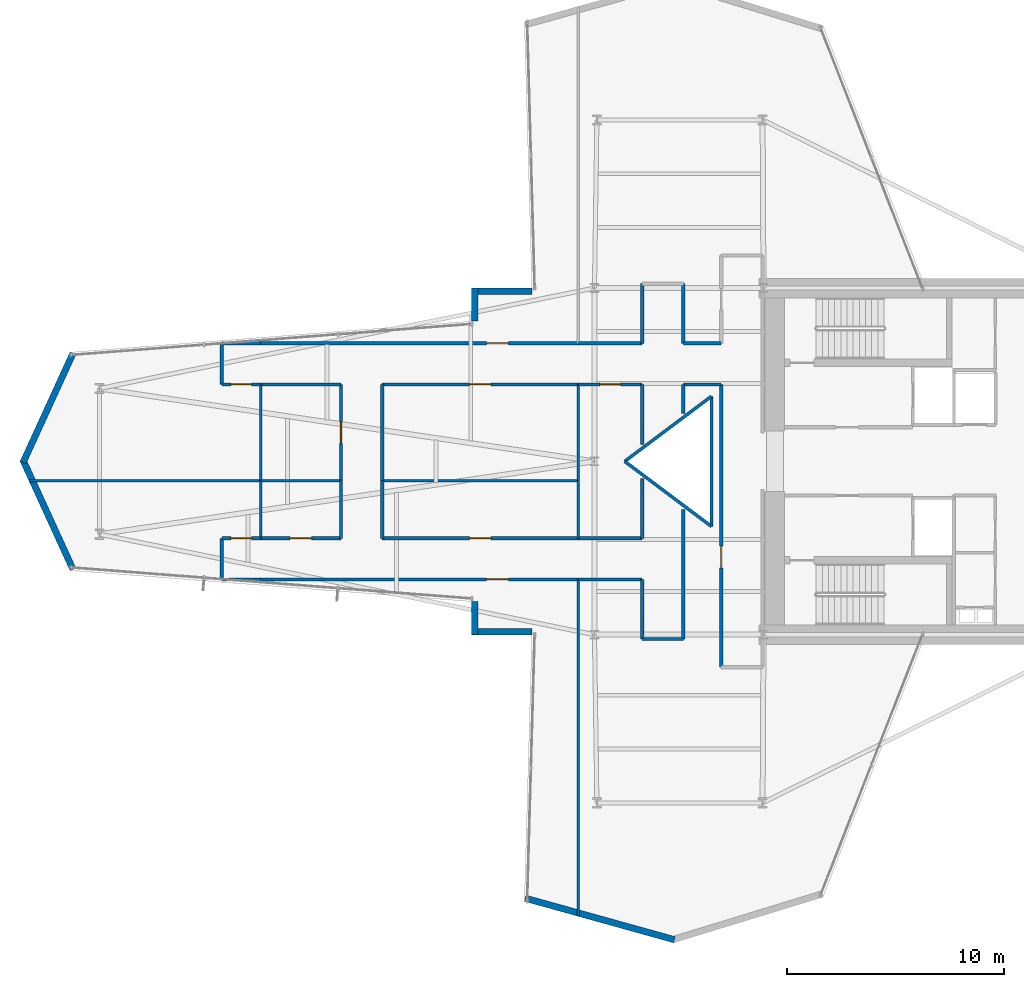
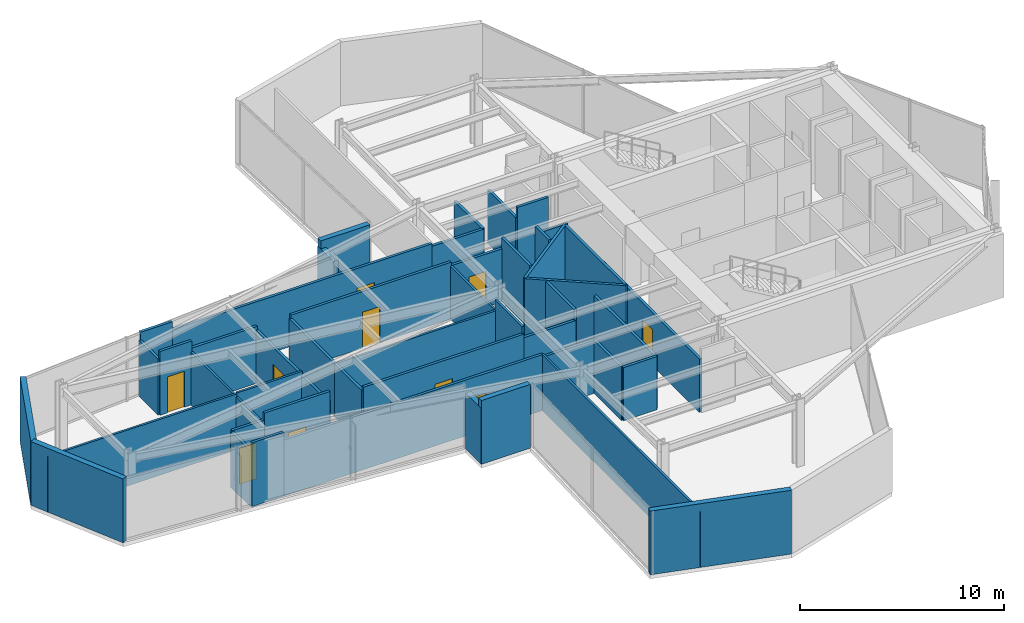
# One storey, part 27 of 30: 49 walls, 10 doors, 10 openings.
"""IFC4 building model written with IfcOpenShell, lengths in metres."""

from ifc_helpers import new_model, si_unit, direction, frame, frame_2d, origin, place, context, subcontext, project, spatial, rectangle, extrude, material, layer, layer_set, type_object, element, fill, save


model = new_model("IFC4")

# Units and contexts
model_context = context("Model", 3, precision=1e-05, world=origin(), true_north=direction((0.0, 1.0)))
body_context = subcontext(model_context, "Body", "Model", "MODEL_VIEW")
ifc_project = project(units=[si_unit("LENGTHUNIT", "METRE"), si_unit("AREAUNIT", "SQUARE_METRE"), si_unit("VOLUMEUNIT", "CUBIC_METRE"), si_unit("PLANEANGLEUNIT", "RADIAN"), si_unit("MASSUNIT", "GRAM", prefix="KILO")], contexts=[model_context])

# Site, building, storey
site_placement = place(None, origin())
site = spatial("IfcSite", under=ifc_project, at=site_placement, CompositionType="ELEMENT")
building_placement = place(site_placement, origin())
building = spatial("IfcBuilding", under=site, at=building_placement, Name="Veymaron Broadcast Tower", CompositionType="ELEMENT")
storey_placement = place(building_placement, frame((0.0, 0.0, 54.0)))
storey = spatial("IfcBuildingStorey", under=building, at=storey_placement, Name="L11", CompositionType="ELEMENT", Elevation=54.0)

# Walls
ifc_material_1 = material(Name="Precast concrete C40/50 with mineral-wool insulation", Category="concrete")
ifc_layer_1 = layer(ifc_material_1, 0.300048828125)
ifc_layer_set_1 = layer_set([ifc_layer_1], Name="Precast concrete C40/50 with mineral-wool insulation")
wall_type_1 = type_object("IfcWallType", Name="WALL-EXT-300", PredefinedType="STANDARD", material=ifc_layer_set_1)
wall_1_placement = place(storey_placement, frame((28.305419921875, 31.860107421875, 0.0), z_axis=(0.0, 0.0, 1.0), x_axis=(-1.0, 0.0, 0.0)))
element("IfcWall", 1, at=wall_1_placement, inside=storey, type_object=wall_type_1, Name="L11 notched corner facade pier 9-1", PredefinedType="STANDARD", context=body_context, shape_type="SweptSolid", body=[
    extrude(rectangle(XDim=2.77734375, YDim=0.300048828125, at=frame_2d((1.388671875, 0.0))), origin(), (0.0, 0.0, 1.0), 3.81005859375),
])
wall_2_placement = place(storey_placement, frame((25.66796875, 32.0, 0.0), z_axis=(0.0, 0.0, 1.0), x_axis=(0.0, -1.0, 0.0)))
element("IfcWall", 2, at=wall_2_placement, inside=storey, type_object=wall_type_1, Name="L11 notched corner facade pier 10-1", PredefinedType="STANDARD", context=body_context, shape_type="SweptSolid", body=[
    extrude(rectangle(XDim=1.52392578125, YDim=0.300048828125, at=frame_2d((0.761962890625, 0.0))), origin(), (0.0, 0.0, 1.0), 3.337890625),
])
for number, where, z_axis, x_axis, name in (
    (3, (7.127197265625, 28.9814453125, 0.0), (0.0, 0.0, 1.0), (-0.415783708404, -0.909463527485, 0.0), "L11 notched corner facade pier 12-1"),
    (4, (4.8232421875, 24.05810546875, 0.0), (0.0, 0.0, 1.0), (0.415783708404, -0.909463527485, 0.0), "L11 notched corner facade pier 13-1"),
):
    element("IfcWall", number, at=place(storey_placement, frame(where, z_axis=z_axis, x_axis=x_axis)), inside=storey, type_object=wall_type_1, Name=name, PredefinedType="STANDARD", context=body_context, shape_type="SweptSolid", body=[
        extrude(rectangle(XDim=5.541259765625, YDim=0.300048828125, at=frame_2d((2.7705078125, 0.0))), origin(), (0.0, 0.0, 1.0), 3.81005859375),
    ])
wall_3_placement = place(storey_placement, frame((25.66796875, 17.52392578125, 0.0), z_axis=(0.0, 0.0, 1.0), x_axis=(0.0, -1.0, 0.0)))
element("IfcWall", 5, at=wall_3_placement, inside=storey, type_object=wall_type_1, Name="L11 notched corner facade pier 15-1", PredefinedType="STANDARD", context=body_context, shape_type="SweptSolid", body=[
    extrude(rectangle(XDim=1.52392578125, YDim=0.300048828125, at=frame_2d((0.761962890625, 0.0))), origin(), (0.0, 0.0, 1.0), 3.337890625),
])
wall_4_placement = place(storey_placement, frame((25.528076171875, 16.139892578125, 0.0), z_axis=(0.0, 0.0, 1.0), x_axis=(1.0, 0.0, 0.0)))
element("IfcWall", 6, at=wall_4_placement, inside=storey, type_object=wall_type_1, Name="L11 notched corner facade pier 16-1", PredefinedType="STANDARD", context=body_context, shape_type="SweptSolid", body=[
    extrude(rectangle(XDim=2.77734375, YDim=0.300048828125, at=frame_2d((1.388671875, 0.0))), origin(), (0.0, 0.0, 1.0), 3.81005859375),
])
wall_5_placement = place(storey_placement, frame((27.9970703125, 3.8388671875, 0.0), z_axis=(0.0, 0.0, 1.0), x_axis=(0.963365312104, -0.268192608836, 0.0)))
element("IfcWall", 7, at=wall_5_placement, inside=storey, type_object=wall_type_1, Name="L11 notched corner facade pier 18-1", PredefinedType="STANDARD", context=body_context, shape_type="SweptSolid", body=[
    extrude(rectangle(XDim=7.15869140625, YDim=0.300048828125, at=frame_2d((3.579345703125, 0.0))), origin(), (0.0, 0.0, 1.0), 3.81005859375),
])

# Wall, opening, door
ifc_material_2 = material(Name="Gypsum fireboard and steel stud framing", Category="steel")
ifc_layer_2 = layer(ifc_material_2, 0.14990234375)
ifc_layer_set_2 = layer_set([ifc_layer_2], Name="Gypsum fireboard and steel stud framing")
wall_type_2 = type_object("IfcWallType", Name="WALL-FIRE-150", PredefinedType="PARTITIONING", material=ifc_layer_set_2)
wall_6_placement = place(storey_placement, frame((37.050048828125, 14.5, 0.0), z_axis=(0.0, 0.0, 1.0), x_axis=(0.0, 1.0, 0.0)))
wall_6 = element("IfcWall", 8, at=wall_6_placement, inside=storey, type_object=wall_type_2, Name="L11 partition IW-L11-P01", PredefinedType="PARTITIONING", context=body_context, shape_type="SweptSolid", body=[
    extrude(rectangle(XDim=13.050048828125, YDim=0.14990234375, at=frame_2d((6.52490234375, 0.0))), origin(), (0.0, 0.0, 1.0), 3.180908203125),
])
opening_1_placement = place(wall_6_placement, frame((4.5849609375, 0.0, 0.0)))
opening_1 = element("IfcOpeningElement", 9, at=opening_1_placement, cuts=wall_6, Name="Opening ID-RM3", PredefinedType="OPENING", context=body_context, shape_type="SweptSolid", body=[
    extrude(rectangle(XDim=1.0, YDim=2.14990234375, at=frame_2d((0.5, 1.074951171875))), frame((0.0, 0.0849609375, 0.0), z_axis=(0.0, -1.0, 0.0), x_axis=(1.0, 0.0, 0.0)), (0.0, 0.0, 1.0), 0.169921875),
])
ifc_material_3 = material(Name="Acoustic solid-core European oak veneer timber", Category="wood")
door_type_1 = type_object("IfcDoorType", Name="DOOR-INT-1000", OperationType="NOTDEFINED", PredefinedType="DOOR", material=ifc_material_3)
door_1_placement = place(opening_1_placement, frame((1.0, 0.0, 0.0), z_axis=(0.0, 0.0, 1.0), x_axis=(-1.0, 0.0, 0.0)))
door_1 = element("IfcDoor", 10, at=door_1_placement, inside=storey, type_object=door_type_1, Name="L11 door DR-L11-P01", OperationType="SINGLE_SWING_RIGHT", OverallHeight=2.14990234375, OverallWidth=1.0, PredefinedType="DOOR", context=body_context, shape_type="SweptSolid", body=[
    extrude(rectangle(XDim=1.0, YDim=2.14990234375, at=frame_2d((0.5, 1.074951171875))), frame((0.0, 0.02490234375, 0.0), z_axis=(0.0, -1.0, 0.0), x_axis=(1.0, 0.0, 0.0)), (0.0, 0.0, 1.0), 0.050048828125),
])
fill(opening_1, door_1)

wall_7_placement = place(storey_placement, frame((15.7939453125, 18.550048828125, 0.0), z_axis=(0.0, 0.0, 1.0), x_axis=(1.0, 0.0, 0.0)))
wall_7 = element("IfcWall", 11, at=wall_7_placement, inside=storey, type_object=wall_type_2, Name="L11 partition IW-L11-P10", PredefinedType="PARTITIONING", context=body_context, shape_type="SweptSolid", body=[
    extrude(rectangle(XDim=14.6650390625, YDim=0.14990234375, at=frame_2d((7.33251953125, 0.0))), origin(), (0.0, 0.0, 1.0), 3.337890625),
])
opening_2_placement = place(wall_7_placement, frame((10.4326171875, 0.0, 0.0)))
opening_2 = element("IfcOpeningElement", 12, at=opening_2_placement, cuts=wall_7, Name="Opening ID-RM3", PredefinedType="OPENING", context=body_context, shape_type="SweptSolid", body=[
    extrude(rectangle(XDim=1.0, YDim=2.14990234375, at=frame_2d((0.5, 1.074951171875))), frame((0.0, 0.0849609375, 0.0), z_axis=(0.0, -1.0, 0.0), x_axis=(1.0, 0.0, 0.0)), (0.0, 0.0, 1.0), 0.169921875),
])
door_2_placement = place(opening_2_placement, frame((1.0, 0.0, 0.0), z_axis=(0.0, 0.0, 1.0), x_axis=(-1.0, 0.0, 0.0)))
door_2 = element("IfcDoor", 13, at=door_2_placement, inside=storey, type_object=door_type_1, Name="L11 door DR-L11-P10", OperationType="SINGLE_SWING_LEFT", OverallHeight=2.14990234375, OverallWidth=1.0, PredefinedType="DOOR", context=body_context, shape_type="SweptSolid", body=[
    extrude(rectangle(XDim=1.0, YDim=2.14990234375, at=frame_2d((0.5, 1.074951171875))), frame((0.0, 0.02490234375, 0.0), z_axis=(0.0, -1.0, 0.0), x_axis=(1.0, 0.0, 0.0)), (0.0, 0.0, 1.0), 0.050048828125),
])
fill(opening_2, door_2)

wall_8_placement = place(storey_placement, frame((14.0, 20.449951171875, 0.0), z_axis=(0.0, 0.0, 1.0), x_axis=(1.0, 0.0, 0.0)))
wall_8 = element("IfcWall", 14, at=wall_8_placement, inside=storey, type_object=wall_type_2, Name="L11 partition IW-L11-P13", PredefinedType="PARTITIONING", context=body_context, shape_type="SweptSolid", body=[
    extrude(rectangle(XDim=1.7939453125, YDim=0.14990234375, at=frame_2d((0.89697265625, 0.0))), origin(), (0.0, 0.0, 1.0), 3.39111328125),
])
opening_3_placement = place(wall_8_placement, frame((0.422119140625, 0.0, 0.0)))
opening_3 = element("IfcOpeningElement", 15, at=opening_3_placement, cuts=wall_8, Name="Opening ID-RM1", PredefinedType="OPENING", context=body_context, shape_type="SweptSolid", body=[
    extrude(rectangle(XDim=0.949951171875, YDim=2.14990234375, at=frame_2d((0.47509765625, 1.074951171875))), frame((0.0, 0.0849609375, 0.0), z_axis=(0.0, -1.0, 0.0), x_axis=(1.0, 0.0, 0.0)), (0.0, 0.0, 1.0), 0.169921875),
])
door_type_2 = type_object("IfcDoorType", Name="DOOR-INT-950", OperationType="NOTDEFINED", PredefinedType="DOOR", material=ifc_material_3)
door_3_placement = place(opening_3_placement, origin())
door_3 = element("IfcDoor", 16, at=door_3_placement, inside=storey, type_object=door_type_2, Name="L11 door DR-L11-P13", OperationType="SINGLE_SWING_RIGHT", OverallHeight=2.14990234375, OverallWidth=0.949951171875, PredefinedType="DOOR", context=body_context, shape_type="SweptSolid", body=[
    extrude(rectangle(XDim=0.949951171875, YDim=2.14990234375, at=frame_2d((0.47509765625, 1.074951171875))), frame((0.0, 0.02490234375, 0.0), z_axis=(0.0, -1.0, 0.0), x_axis=(1.0, 0.0, 0.0)), (0.0, 0.0, 1.0), 0.050048828125),
])
fill(opening_3, door_3)

wall_9_placement = place(storey_placement, frame((15.7939453125, 20.449951171875, 0.0), z_axis=(0.0, 0.0, 1.0), x_axis=(1.0, 0.0, 0.0)))
wall_9 = element("IfcWall", 17, at=wall_9_placement, inside=storey, type_object=wall_type_2, Name="L11 partition IW-L11-P14", PredefinedType="PARTITIONING", context=body_context, shape_type="SweptSolid", body=[
    extrude(rectangle(XDim=3.7060546875, YDim=0.14990234375, at=frame_2d((1.85302734375, 0.0))), origin(), (0.0, 0.0, 1.0), 3.81005859375),
])
opening_4_placement = place(wall_9_placement, frame((1.35302734375, 0.0, 0.0)))
opening_4 = element("IfcOpeningElement", 18, at=opening_4_placement, cuts=wall_9, Name="Opening ID-RM3", PredefinedType="OPENING", context=body_context, shape_type="SweptSolid", body=[
    extrude(rectangle(XDim=1.0, YDim=2.14990234375, at=frame_2d((0.5, 1.074951171875))), frame((0.0, 0.0849609375, 0.0), z_axis=(0.0, -1.0, 0.0), x_axis=(1.0, 0.0, 0.0)), (0.0, 0.0, 1.0), 0.169921875),
])
door_4_placement = place(opening_4_placement, origin())
door_4 = element("IfcDoor", 19, at=door_4_placement, inside=storey, type_object=door_type_1, Name="L11 door DR-L11-P14", OperationType="SINGLE_SWING_LEFT", OverallHeight=2.14990234375, OverallWidth=1.0, PredefinedType="DOOR", context=body_context, shape_type="SweptSolid", body=[
    extrude(rectangle(XDim=1.0, YDim=2.14990234375, at=frame_2d((0.5, 1.074951171875))), frame((0.0, 0.02490234375, 0.0), z_axis=(0.0, -1.0, 0.0), x_axis=(1.0, 0.0, 0.0)), (0.0, 0.0, 1.0), 0.050048828125),
])
fill(opening_4, door_4)

wall_10_placement = place(storey_placement, frame((21.39990234375, 20.449951171875, 0.0), z_axis=(0.0, 0.0, 1.0), x_axis=(1.0, 0.0, 0.0)))
wall_10 = element("IfcWall", 20, at=wall_10_placement, inside=storey, type_object=wall_type_2, Name="L11 partition IW-L11-P16", PredefinedType="PARTITIONING", context=body_context, shape_type="SweptSolid", body=[
    extrude(rectangle(XDim=9.05908203125, YDim=0.14990234375, at=frame_2d((4.529541015625, 0.0))), origin(), (0.0, 0.0, 1.0), 3.39111328125),
])
opening_5_placement = place(wall_10_placement, frame((4.029541015625, 0.0, 0.0)))
opening_5 = element("IfcOpeningElement", 21, at=opening_5_placement, cuts=wall_10, Name="Opening ID-RM3", PredefinedType="OPENING", context=body_context, shape_type="SweptSolid", body=[
    extrude(rectangle(XDim=1.0, YDim=2.14990234375, at=frame_2d((0.5, 1.074951171875))), frame((0.0, 0.0849609375, 0.0), z_axis=(0.0, -1.0, 0.0), x_axis=(1.0, 0.0, 0.0)), (0.0, 0.0, 1.0), 0.169921875),
])
door_5_placement = place(opening_5_placement, origin())
door_5 = element("IfcDoor", 22, at=door_5_placement, inside=storey, type_object=door_type_1, Name="L11 door DR-L11-P16", OperationType="SINGLE_SWING_LEFT", OverallHeight=2.14990234375, OverallWidth=1.0, PredefinedType="DOOR", context=body_context, shape_type="SweptSolid", body=[
    extrude(rectangle(XDim=1.0, YDim=2.14990234375, at=frame_2d((0.5, 1.074951171875))), frame((0.0, 0.02490234375, 0.0), z_axis=(0.0, -1.0, 0.0), x_axis=(1.0, 0.0, 0.0)), (0.0, 0.0, 1.0), 0.050048828125),
])
fill(opening_5, door_5)

wall_11_placement = place(storey_placement, frame((30.458984375, 27.550048828125, 0.0), z_axis=(0.0, 0.0, 1.0), x_axis=(1.0, 0.0, 0.0)))
wall_11 = element("IfcWall", 23, at=wall_11_placement, inside=storey, type_object=wall_type_2, Name="L11 partition IW-L11-P18", PredefinedType="PARTITIONING", context=body_context, shape_type="SweptSolid", body=[
    extrude(rectangle(XDim=2.94091796875, YDim=0.14990234375, at=frame_2d((1.470458984375, 0.0))), origin(), (0.0, 0.0, 1.0), 3.180908203125),
])
opening_6_placement = place(wall_11_placement, frame((0.99560546875, 0.0, 0.0)))
opening_6 = element("IfcOpeningElement", 24, at=opening_6_placement, cuts=wall_11, Name="Opening ID-RM1", PredefinedType="OPENING", context=body_context, shape_type="SweptSolid", body=[
    extrude(rectangle(XDim=0.949951171875, YDim=2.14990234375, at=frame_2d((0.47509765625, 1.074951171875))), frame((0.0, 0.0849609375, 0.0), z_axis=(0.0, -1.0, 0.0), x_axis=(1.0, 0.0, 0.0)), (0.0, 0.0, 1.0), 0.169921875),
])
door_6_placement = place(opening_6_placement, frame((0.949951171875, 0.0, 0.0), z_axis=(0.0, 0.0, 1.0), x_axis=(-1.0, 0.0, 0.0)))
door_6 = element("IfcDoor", 25, at=door_6_placement, inside=storey, type_object=door_type_2, Name="L11 door DR-L11-P18", OperationType="SINGLE_SWING_LEFT", OverallHeight=2.14990234375, OverallWidth=0.949951171875, PredefinedType="DOOR", context=body_context, shape_type="SweptSolid", body=[
    extrude(rectangle(XDim=0.949951171875, YDim=2.14990234375, at=frame_2d((0.47509765625, 1.074951171875))), frame((0.0, 0.02490234375, 0.0), z_axis=(0.0, -1.0, 0.0), x_axis=(1.0, 0.0, 0.0)), (0.0, 0.0, 1.0), 0.050048828125),
])
fill(opening_6, door_6)

wall_12_placement = place(storey_placement, frame((19.5, 23.111083984375, 0.0), z_axis=(0.0, 0.0, 1.0), x_axis=(0.0, 1.0, 0.0)))
wall_12 = element("IfcWall", 26, at=wall_12_placement, inside=storey, type_object=wall_type_2, Name="L11 partition IW-L11-P22", PredefinedType="PARTITIONING", context=body_context, shape_type="SweptSolid", body=[
    extrude(rectangle(XDim=4.43896484375, YDim=0.14990234375, at=frame_2d((2.219482421875, 0.0))), origin(), (0.0, 0.0, 1.0), 3.180908203125),
])
opening_7_placement = place(wall_12_placement, frame((1.719482421875, 0.0, 0.0)))
opening_7 = element("IfcOpeningElement", 27, at=opening_7_placement, cuts=wall_12, Name="Opening ID-RM3", PredefinedType="OPENING", context=body_context, shape_type="SweptSolid", body=[
    extrude(rectangle(XDim=1.0, YDim=2.14990234375, at=frame_2d((0.5, 1.074951171875))), frame((0.0, 0.0849609375, 0.0), z_axis=(0.0, -1.0, 0.0), x_axis=(1.0, 0.0, 0.0)), (0.0, 0.0, 1.0), 0.169921875),
])
door_7_placement = place(opening_7_placement, origin())
door_7 = element("IfcDoor", 28, at=door_7_placement, inside=storey, type_object=door_type_1, Name="L11 door DR-L11-P22", OperationType="SINGLE_SWING_LEFT", OverallHeight=2.14990234375, OverallWidth=1.0, PredefinedType="DOOR", context=body_context, shape_type="SweptSolid", body=[
    extrude(rectangle(XDim=1.0, YDim=2.14990234375, at=frame_2d((0.5, 1.074951171875))), frame((0.0, 0.02490234375, 0.0), z_axis=(0.0, -1.0, 0.0), x_axis=(1.0, 0.0, 0.0)), (0.0, 0.0, 1.0), 0.050048828125),
])
fill(opening_7, door_7)

wall_13_placement = place(storey_placement, frame((21.39990234375, 27.550048828125, 0.0), z_axis=(0.0, 0.0, 1.0), x_axis=(1.0, 0.0, 0.0)))
wall_13 = element("IfcWall", 29, at=wall_13_placement, inside=storey, type_object=wall_type_2, Name="L11 partition IW-L11-P24", PredefinedType="PARTITIONING", context=body_context, shape_type="SweptSolid", body=[
    extrude(rectangle(XDim=9.05908203125, YDim=0.14990234375, at=frame_2d((4.529541015625, 0.0))), origin(), (0.0, 0.0, 1.0), 3.39111328125),
])
opening_8_placement = place(wall_13_placement, frame((4.029541015625, 0.0, 0.0)))
opening_8 = element("IfcOpeningElement", 30, at=opening_8_placement, cuts=wall_13, Name="Opening ID-RM3", PredefinedType="OPENING", context=body_context, shape_type="SweptSolid", body=[
    extrude(rectangle(XDim=1.0, YDim=2.14990234375, at=frame_2d((0.5, 1.074951171875))), frame((0.0, 0.0849609375, 0.0), z_axis=(0.0, -1.0, 0.0), x_axis=(1.0, 0.0, 0.0)), (0.0, 0.0, 1.0), 0.169921875),
])
door_8_placement = place(opening_8_placement, frame((1.0, 0.0, 0.0), z_axis=(0.0, 0.0, 1.0), x_axis=(-1.0, 0.0, 0.0)))
door_8 = element("IfcDoor", 31, at=door_8_placement, inside=storey, type_object=door_type_1, Name="L11 door DR-L11-P24", OperationType="SINGLE_SWING_LEFT", OverallHeight=2.14990234375, OverallWidth=1.0, PredefinedType="DOOR", context=body_context, shape_type="SweptSolid", body=[
    extrude(rectangle(XDim=1.0, YDim=2.14990234375, at=frame_2d((0.5, 1.074951171875))), frame((0.0, 0.02490234375, 0.0), z_axis=(0.0, -1.0, 0.0), x_axis=(1.0, 0.0, 0.0)), (0.0, 0.0, 1.0), 0.050048828125),
])
fill(opening_8, door_8)

wall_14_placement = place(storey_placement, frame((14.0, 27.550048828125, 0.0), z_axis=(0.0, 0.0, 1.0), x_axis=(1.0, 0.0, 0.0)))
wall_14 = element("IfcWall", 32, at=wall_14_placement, inside=storey, type_object=wall_type_2, Name="L11 partition IW-L11-P27", PredefinedType="PARTITIONING", context=body_context, shape_type="SweptSolid", body=[
    extrude(rectangle(XDim=1.7939453125, YDim=0.14990234375, at=frame_2d((0.89697265625, 0.0))), origin(), (0.0, 0.0, 1.0), 3.81005859375),
])
opening_9_placement = place(wall_14_placement, frame((0.422119140625, 0.0, 0.0)))
opening_9 = element("IfcOpeningElement", 33, at=opening_9_placement, cuts=wall_14, Name="Opening ID-RM1", PredefinedType="OPENING", context=body_context, shape_type="SweptSolid", body=[
    extrude(rectangle(XDim=0.949951171875, YDim=2.14990234375, at=frame_2d((0.47509765625, 1.074951171875))), frame((0.0, 0.0849609375, 0.0), z_axis=(0.0, -1.0, 0.0), x_axis=(1.0, 0.0, 0.0)), (0.0, 0.0, 1.0), 0.169921875),
])
door_9_placement = place(opening_9_placement, frame((0.949951171875, 0.0, 0.0), z_axis=(0.0, 0.0, 1.0), x_axis=(-1.0, 0.0, 0.0)))
door_9 = element("IfcDoor", 34, at=door_9_placement, inside=storey, type_object=door_type_2, Name="L11 door DR-L11-P27", OperationType="SINGLE_SWING_RIGHT", OverallHeight=2.14990234375, OverallWidth=0.949951171875, PredefinedType="DOOR", context=body_context, shape_type="SweptSolid", body=[
    extrude(rectangle(XDim=0.949951171875, YDim=2.14990234375, at=frame_2d((0.47509765625, 1.074951171875))), frame((0.0, 0.02490234375, 0.0), z_axis=(0.0, -1.0, 0.0), x_axis=(1.0, 0.0, 0.0)), (0.0, 0.0, 1.0), 0.050048828125),
])
fill(opening_9, door_9)

wall_15_placement = place(storey_placement, frame((15.7939453125, 29.449951171875, 0.0), z_axis=(0.0, 0.0, 1.0), x_axis=(1.0, 0.0, 0.0)))
wall_15 = element("IfcWall", 35, at=wall_15_placement, inside=storey, type_object=wall_type_2, Name="L11 partition IW-L11-P29", PredefinedType="PARTITIONING", context=body_context, shape_type="SweptSolid", body=[
    extrude(rectangle(XDim=14.6650390625, YDim=0.14990234375, at=frame_2d((7.33251953125, 0.0))), origin(), (0.0, 0.0, 1.0), 3.337890625),
])
opening_10_placement = place(wall_15_placement, frame((10.4326171875, 0.0, 0.0)))
opening_10 = element("IfcOpeningElement", 36, at=opening_10_placement, cuts=wall_15, Name="Opening ID-RM3", PredefinedType="OPENING", context=body_context, shape_type="SweptSolid", body=[
    extrude(rectangle(XDim=1.0, YDim=2.14990234375, at=frame_2d((0.5, 1.074951171875))), frame((0.0, 0.0849609375, 0.0), z_axis=(0.0, -1.0, 0.0), x_axis=(1.0, 0.0, 0.0)), (0.0, 0.0, 1.0), 0.169921875),
])
door_10_placement = place(opening_10_placement, origin())
door_10 = element("IfcDoor", 37, at=door_10_placement, inside=storey, type_object=door_type_1, Name="L11 door DR-L11-P29", OperationType="SINGLE_SWING_RIGHT", OverallHeight=2.14990234375, OverallWidth=1.0, PredefinedType="DOOR", context=body_context, shape_type="SweptSolid", body=[
    extrude(rectangle(XDim=1.0, YDim=2.14990234375, at=frame_2d((0.5, 1.074951171875))), frame((0.0, 0.02490234375, 0.0), z_axis=(0.0, -1.0, 0.0), x_axis=(1.0, 0.0, 0.0)), (0.0, 0.0, 1.0), 0.050048828125),
])
fill(opening_10, door_10)

# Walls
wall_16_placement = place(storey_placement, frame((35.300048828125, 15.800048828125, 0.0), z_axis=(0.0, 0.0, 1.0), x_axis=(0.0, 1.0, 0.0)))
element("IfcWall", 38, at=wall_16_placement, inside=storey, type_object=wall_type_2, Name="L11 partition IW-L11-P03", PredefinedType="PARTITIONING", context=body_context, shape_type="SweptSolid", body=[
    extrude(rectangle(XDim=5.987548828125, YDim=0.14990234375, at=frame_2d((2.99365234375, 0.0))), origin(), (0.0, 0.0, 1.0), 3.180908203125),
])
wall_17_placement = place(storey_placement, frame((30.458984375, 18.550048828125, 0.0), z_axis=(0.0, 0.0, 1.0), x_axis=(1.0, 0.0, 0.0)))
element("IfcWall", 39, at=wall_17_placement, inside=storey, type_object=wall_type_2, Name="L11 partition IW-L11-P04", PredefinedType="PARTITIONING", context=body_context, shape_type="SweptSolid", body=[
    extrude(rectangle(XDim=2.94091796875, YDim=0.14990234375, at=frame_2d((1.470458984375, 0.0))), origin(), (0.0, 0.0, 1.0), 3.180908203125),
])
wall_18_placement = place(storey_placement, frame((33.39990234375, 15.800048828125, 0.0), z_axis=(0.0, 0.0, 1.0), x_axis=(0.0, 1.0, 0.0)))
element("IfcWall", 40, at=wall_18_placement, inside=storey, type_object=wall_type_2, Name="L11 partition IW-L11-P05", PredefinedType="PARTITIONING", context=body_context, shape_type="SweptSolid", body=[
    extrude(rectangle(XDim=2.75, YDim=0.14990234375, at=frame_2d((1.375, 0.0))), origin(), (0.0, 0.0, 1.0), 3.180908203125),
])
wall_19_placement = place(storey_placement, frame((33.39990234375, 15.800048828125, 0.0), z_axis=(0.0, 0.0, 1.0), x_axis=(1.0, 0.0, 0.0)))
element("IfcWall", 41, at=wall_19_placement, inside=storey, type_object=wall_type_2, Name="L11 partition IW-L11-P07", PredefinedType="PARTITIONING", context=body_context, shape_type="SweptSolid", body=[
    extrude(rectangle(XDim=1.900146484375, YDim=0.14990234375, at=frame_2d((0.9501953125, 0.0))), origin(), (0.0, 0.0, 1.0), 3.180908203125),
])
wall_20_placement = place(storey_placement, frame((35.300048828125, 27.550048828125, 0.0), z_axis=(0.0, 0.0, 1.0), x_axis=(1.0, 0.0, 0.0)))
element("IfcWall", 42, at=wall_20_placement, inside=storey, type_object=wall_type_2, Name="L11 partition IW-L11-P08", PredefinedType="PARTITIONING", context=body_context, shape_type="SweptSolid", body=[
    extrude(rectangle(XDim=1.75, YDim=0.14990234375, at=frame_2d((0.875, 0.0))), origin(), (0.0, 0.0, 1.0), 3.39111328125),
])
wall_21_placement = place(storey_placement, frame((35.300048828125, 26.21240234375, 0.0), z_axis=(0.0, 0.0, 1.0), x_axis=(0.0, 1.0, 0.0)))
element("IfcWall", 43, at=wall_21_placement, inside=storey, type_object=wall_type_2, Name="L11 partition IW-L11-P09", PredefinedType="PARTITIONING", context=body_context, shape_type="SweptSolid", body=[
    extrude(rectangle(XDim=1.337646484375, YDim=0.14990234375, at=frame_2d((0.6689453125, 0.0))), origin(), (0.0, 0.0, 1.0), 3.81005859375),
])
wall_22_placement = place(storey_placement, frame((14.0, 18.550048828125, 0.0), z_axis=(0.0, 0.0, 1.0), x_axis=(0.0, 1.0, 0.0)))
element("IfcWall", 44, at=wall_22_placement, inside=storey, type_object=wall_type_2, Name="L11 partition IW-L11-P11", PredefinedType="PARTITIONING", context=body_context, shape_type="SweptSolid", body=[
    extrude(rectangle(XDim=1.89990234375, YDim=0.14990234375, at=frame_2d((0.949951171875, 0.0))), origin(), (0.0, 0.0, 1.0), 3.337890625),
])
wall_23_placement = place(storey_placement, frame((14.0, 18.550048828125, 0.0), z_axis=(0.0, 0.0, 1.0), x_axis=(1.0, 0.0, 0.0)))
element("IfcWall", 45, at=wall_23_placement, inside=storey, type_object=wall_type_2, Name="L11 partition IW-L11-P12", PredefinedType="PARTITIONING", context=body_context, shape_type="SweptSolid", body=[
    extrude(rectangle(XDim=1.7939453125, YDim=0.14990234375, at=frame_2d((0.89697265625, 0.0))), origin(), (0.0, 0.0, 1.0), 3.81005859375),
])
for number, where, z_axis, x_axis, name in (
    (46, (19.5, 20.449951171875, 0.0), (0.0, 0.0, 1.0), (0.0, 1.0, 0.0), "L11 partition IW-L11-P15"),
    (47, (21.39990234375, 20.449951171875, 0.0), (0.0, 0.0, 1.0), (0.0, 1.0, 0.0), "L11 partition IW-L11-P17"),
):
    element("IfcWall", number, at=place(storey_placement, frame(where, z_axis=z_axis, x_axis=x_axis)), inside=storey, type_object=wall_type_2, Name=name, PredefinedType="PARTITIONING", context=body_context, shape_type="SweptSolid", body=[
        extrude(rectangle(XDim=2.6611328125, YDim=0.14990234375, at=frame_2d((1.33056640625, 0.0))), origin(), (0.0, 0.0, 1.0), 3.180908203125),
    ])
wall_24_placement = place(storey_placement, frame((30.458984375, 20.449951171875, 0.0), z_axis=(0.0, 0.0, 1.0), x_axis=(1.0, 0.0, 0.0)))
element("IfcWall", 48, at=wall_24_placement, inside=storey, type_object=wall_type_2, Name="L11 partition IW-L11-P19", PredefinedType="PARTITIONING", context=body_context, shape_type="SweptSolid", body=[
    extrude(rectangle(XDim=2.94091796875, YDim=0.14990234375, at=frame_2d((1.470458984375, 0.0))), origin(), (0.0, 0.0, 1.0), 3.180908203125),
])
for number, where, z_axis, x_axis, name in (
    (49, (33.39990234375, 24.78759765625, 0.0), (0.0, 0.0, 1.0), (0.0, 1.0, 0.0), "L11 partition IW-L11-P20"),
    (50, (33.39990234375, 20.449951171875, 0.0), (0.0, 0.0, 1.0), (0.0, 1.0, 0.0), "L11 partition IW-L11-P21"),
):
    element("IfcWall", number, at=place(storey_placement, frame(where, z_axis=z_axis, x_axis=x_axis)), inside=storey, type_object=wall_type_2, Name=name, PredefinedType="PARTITIONING", context=body_context, shape_type="SweptSolid", body=[
        extrude(rectangle(XDim=2.762451171875, YDim=0.14990234375, at=frame_2d((1.38134765625, 0.0))), origin(), (0.0, 0.0, 1.0), 3.81005859375),
    ])
wall_25_placement = place(storey_placement, frame((15.7939453125, 27.550048828125, 0.0), z_axis=(0.0, 0.0, 1.0), x_axis=(1.0, 0.0, 0.0)))
element("IfcWall", 51, at=wall_25_placement, inside=storey, type_object=wall_type_2, Name="L11 partition IW-L11-P23", PredefinedType="PARTITIONING", context=body_context, shape_type="SweptSolid", body=[
    extrude(rectangle(XDim=3.7060546875, YDim=0.14990234375, at=frame_2d((1.85302734375, 0.0))), origin(), (0.0, 0.0, 1.0), 3.39111328125),
])
wall_26_placement = place(storey_placement, frame((21.39990234375, 23.111083984375, 0.0), z_axis=(0.0, 0.0, 1.0), x_axis=(0.0, 1.0, 0.0)))
element("IfcWall", 52, at=wall_26_placement, inside=storey, type_object=wall_type_2, Name="L11 partition IW-L11-P25", PredefinedType="PARTITIONING", context=body_context, shape_type="SweptSolid", body=[
    extrude(rectangle(XDim=4.43896484375, YDim=0.14990234375, at=frame_2d((2.219482421875, 0.0))), origin(), (0.0, 0.0, 1.0), 3.180908203125),
])
wall_27_placement = place(storey_placement, frame((14.0, 27.550048828125, 0.0), z_axis=(0.0, 0.0, 1.0), x_axis=(0.0, 1.0, 0.0)))
element("IfcWall", 53, at=wall_27_placement, inside=storey, type_object=wall_type_2, Name="L11 partition IW-L11-P26", PredefinedType="PARTITIONING", context=body_context, shape_type="SweptSolid", body=[
    extrude(rectangle(XDim=1.89990234375, YDim=0.14990234375, at=frame_2d((0.949951171875, 0.0))), origin(), (0.0, 0.0, 1.0), 3.337890625),
])
wall_28_placement = place(storey_placement, frame((14.0, 29.449951171875, 0.0), z_axis=(0.0, 0.0, 1.0), x_axis=(1.0, 0.0, 0.0)))
element("IfcWall", 54, at=wall_28_placement, inside=storey, type_object=wall_type_2, Name="L11 partition IW-L11-P28", PredefinedType="PARTITIONING", context=body_context, shape_type="SweptSolid", body=[
    extrude(rectangle(XDim=1.7939453125, YDim=0.14990234375, at=frame_2d((0.89697265625, 0.0))), origin(), (0.0, 0.0, 1.0), 3.81005859375),
])
wall_29_placement = place(storey_placement, frame((30.458984375, 29.449951171875, 0.0), z_axis=(0.0, 0.0, 1.0), x_axis=(1.0, 0.0, 0.0)))
element("IfcWall", 55, at=wall_29_placement, inside=storey, type_object=wall_type_2, Name="L11 partition IW-L11-P32", PredefinedType="PARTITIONING", context=body_context, shape_type="SweptSolid", body=[
    extrude(rectangle(XDim=2.94091796875, YDim=0.14990234375, at=frame_2d((1.470458984375, 0.0))), origin(), (0.0, 0.0, 1.0), 3.180908203125),
])
for number, where, z_axis, x_axis, name in (
    (56, (33.39990234375, 29.449951171875, 0.0), (0.0, 0.0, 1.0), (0.0, 1.0, 0.0), "L11 partition IW-L11-P33"),
    (57, (35.300048828125, 29.449951171875, 0.0), (0.0, 0.0, 1.0), (0.0, 1.0, 0.0), "L11 partition IW-L11-P34"),
):
    element("IfcWall", number, at=place(storey_placement, frame(where, z_axis=z_axis, x_axis=x_axis)), inside=storey, type_object=wall_type_2, Name=name, PredefinedType="PARTITIONING", context=body_context, shape_type="SweptSolid", body=[
        extrude(rectangle(XDim=2.75, YDim=0.14990234375, at=frame_2d((1.375, 0.0))), origin(), (0.0, 0.0, 1.0), 3.180908203125),
    ])
wall_30_placement = place(storey_placement, frame((35.300048828125, 29.449951171875, 0.0), z_axis=(0.0, 0.0, 1.0), x_axis=(1.0, 0.0, 0.0)))
element("IfcWall", 58, at=wall_30_placement, inside=storey, type_object=wall_type_2, Name="L11 partition IW-L11-P37", PredefinedType="PARTITIONING", context=body_context, shape_type="SweptSolid", body=[
    extrude(rectangle(XDim=1.75, YDim=0.14990234375, at=frame_2d((0.875, 0.0))), origin(), (0.0, 0.0, 1.0), 3.81005859375),
])
ifc_material_4 = material(Name="Fire-rated laminated glass in aluminium frame", Category="aluminium")
ifc_layer_3 = layer(ifc_material_4, 0.14990234375)
ifc_layer_set_3 = layer_set([ifc_layer_3], Name="Fire-rated laminated glass in aluminium frame")
wall_type_3 = type_object("IfcWallType", Name="WALL-GLZ-150", PredefinedType="MOVABLE", material=ifc_layer_set_3)
wall_31_placement = place(storey_placement, frame((32.60009765625, 24.0, 0.0), z_axis=(0.0, 0.0, 1.0), x_axis=(0.8, -0.6, 0.0)))
element("IfcWall", 59, at=wall_31_placement, inside=storey, type_object=wall_type_3, Name="L11 partition IW-L11-ATR1", PredefinedType="MOVABLE", context=body_context, shape_type="SweptSolid", body=[
    extrude(rectangle(XDim=5.0, YDim=0.14990234375, at=frame_2d((2.5, 0.0))), origin(), (0.0, 0.0, 1.0), 3.81005859375),
])
wall_32_placement = place(storey_placement, frame((36.60009765625, 21.0, 0.0), z_axis=(0.0, 0.0, 1.0), x_axis=(0.0, 1.0, 0.0)))
element("IfcWall", 60, at=wall_32_placement, inside=storey, type_object=wall_type_3, Name="L11 partition IW-L11-ATR2", PredefinedType="MOVABLE", context=body_context, shape_type="SweptSolid", body=[
    extrude(rectangle(XDim=6.0, YDim=0.14990234375, at=frame_2d((3.0, 0.0))), origin(), (0.0, 0.0, 1.0), 3.81005859375),
])
wall_33_placement = place(storey_placement, frame((36.60009765625, 27.0, 0.0), z_axis=(0.0, 0.0, 1.0), x_axis=(-0.8, -0.6, 0.0)))
element("IfcWall", 61, at=wall_33_placement, inside=storey, type_object=wall_type_3, Name="L11 partition IW-L11-ATR3", PredefinedType="MOVABLE", context=body_context, shape_type="SweptSolid", body=[
    extrude(rectangle(XDim=5.0, YDim=0.14990234375, at=frame_2d((2.5, 0.0))), origin(), (0.0, 0.0, 1.0), 3.81005859375),
])
ifc_material_5 = material(Name="Acoustic gypsum board and galvanized stud", Category="gypsum")
ifc_layer_4 = layer(ifc_material_5, 0.1201171875)
ifc_layer_set_4 = layer_set([ifc_layer_4], Name="Acoustic gypsum board and galvanized stud")
wall_type_4 = type_object("IfcWallType", Name="WALL-PART-120", PredefinedType="PARTITIONING", material=ifc_layer_set_4)
wall_34_placement = place(storey_placement, frame((30.458984375, 3.00830078125, 0.0), z_axis=(0.0, 0.0, 1.0), x_axis=(0.0, 1.0, 0.0)))
element("IfcWall", 62, at=wall_34_placement, inside=storey, type_object=wall_type_4, Name="L11 partition IW-L11-P38", PredefinedType="PARTITIONING", context=body_context, shape_type="SweptSolid", body=[
    extrude(rectangle(XDim=15.541748046875, YDim=0.1201171875, at=frame_2d((7.77099609375, 0.0))), origin(), (0.0, 0.0, 1.0), 3.337890625),
])
wall_35_placement = place(storey_placement, frame((15.7939453125, 20.449951171875, 0.0), z_axis=(0.0, 0.0, 1.0), x_axis=(0.0, 1.0, 0.0)))
element("IfcWall", 63, at=wall_35_placement, inside=storey, type_object=wall_type_4, Name="L11 partition IW-L11-P39", PredefinedType="PARTITIONING", context=body_context, shape_type="SweptSolid", body=[
    extrude(rectangle(XDim=2.6611328125, YDim=0.1201171875, at=frame_2d((1.33056640625, 0.0))), origin(), (0.0, 0.0, 1.0), 3.180908203125),
])
wall_36_placement = place(storey_placement, frame((5.102294921875, 23.111083984375, 0.0), z_axis=(0.0, 0.0, 1.0), x_axis=(1.0, 0.0, 0.0)))
element("IfcWall", 64, at=wall_36_placement, inside=storey, type_object=wall_type_4, Name="L11 partition IW-L11-P40", PredefinedType="PARTITIONING", context=body_context, shape_type="SweptSolid", body=[
    extrude(rectangle(XDim=10.691650390625, YDim=0.1201171875, at=frame_2d((5.345703125, 0.0))), origin(), (0.0, 0.0, 1.0), 3.337890625),
])
wall_37_placement = place(storey_placement, frame((15.7939453125, 23.111083984375, 0.0), z_axis=(0.0, 0.0, 1.0), x_axis=(1.0, 0.0, 0.0)))
element("IfcWall", 65, at=wall_37_placement, inside=storey, type_object=wall_type_4, Name="L11 partition IW-L11-P41", PredefinedType="PARTITIONING", context=body_context, shape_type="SweptSolid", body=[
    extrude(rectangle(XDim=3.7060546875, YDim=0.1201171875, at=frame_2d((1.85302734375, 0.0))), origin(), (0.0, 0.0, 1.0), 3.39111328125),
])
wall_38_placement = place(storey_placement, frame((30.458984375, 20.449951171875, 0.0), z_axis=(0.0, 0.0, 1.0), x_axis=(0.0, 1.0, 0.0)))
element("IfcWall", 66, at=wall_38_placement, inside=storey, type_object=wall_type_4, Name="L11 partition IW-L11-P42", PredefinedType="PARTITIONING", context=body_context, shape_type="SweptSolid", body=[
    extrude(rectangle(XDim=2.6611328125, YDim=0.1201171875, at=frame_2d((1.33056640625, 0.0))), origin(), (0.0, 0.0, 1.0), 3.81005859375),
])
wall_39_placement = place(storey_placement, frame((21.39990234375, 23.111083984375, 0.0), z_axis=(0.0, 0.0, 1.0), x_axis=(1.0, 0.0, 0.0)))
element("IfcWall", 67, at=wall_39_placement, inside=storey, type_object=wall_type_4, Name="L11 partition IW-L11-P43", PredefinedType="PARTITIONING", context=body_context, shape_type="SweptSolid", body=[
    extrude(rectangle(XDim=9.05908203125, YDim=0.1201171875, at=frame_2d((4.529541015625, 0.0))), origin(), (0.0, 0.0, 1.0), 3.180908203125),
])
for number, where, z_axis, x_axis, name in (
    (68, (30.458984375, 23.111083984375, 0.0), (0.0, 0.0, 1.0), (0.0, 1.0, 0.0), "L11 partition IW-L11-P44"),
    (69, (15.7939453125, 23.111083984375, 0.0), (0.0, 0.0, 1.0), (0.0, 1.0, 0.0), "L11 partition IW-L11-P45"),
):
    element("IfcWall", number, at=place(storey_placement, frame(where, z_axis=z_axis, x_axis=x_axis)), inside=storey, type_object=wall_type_4, Name=name, PredefinedType="PARTITIONING", context=body_context, shape_type="SweptSolid", body=[
        extrude(rectangle(XDim=4.43896484375, YDim=0.1201171875, at=frame_2d((2.219482421875, 0.0))), origin(), (0.0, 0.0, 1.0), 3.180908203125),
    ])

save(model, "model.ifc")
